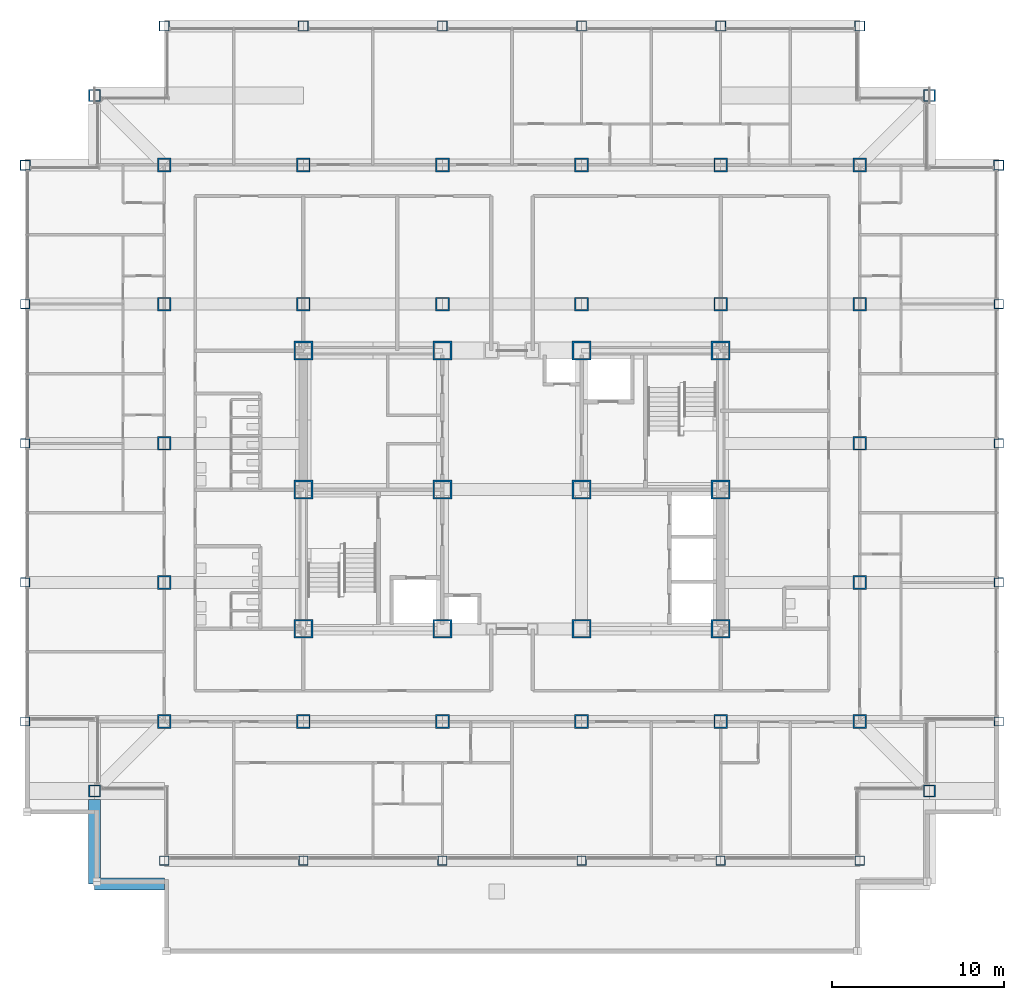
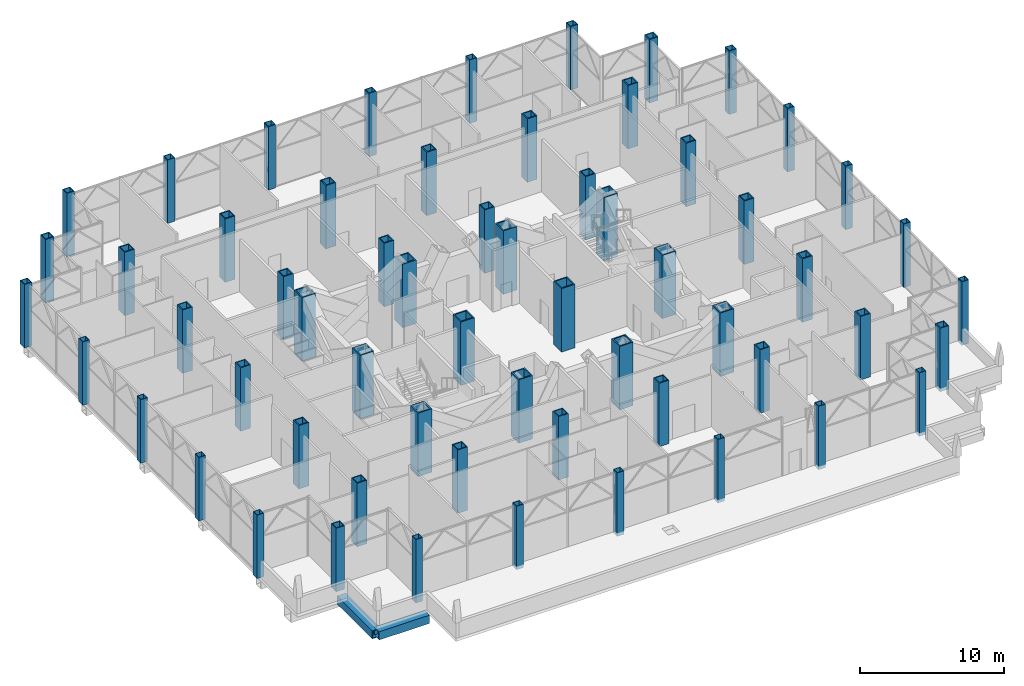
# One storey, part 1 of 29: 60 columns, 2 beams.
"""IFC4 building model written with IfcOpenShell, lengths in metres."""

import ifcopenshell
import ifcopenshell.guid

model = None  # the IFC model being written
_history = None  # IfcOwnerHistory: only IFC2X3 demands one
_inside = {}  # id of a spatial element -> (the spatial element, [elements in it])
_under = {}  # id of a project, library or spatial element -> (it, [spatial elements below it])
_declared = {}  # id of a project -> (the project, [libraries it declares])
_typed = {}  # id of a type object -> (the type object, [elements of that type])
_made_of = {}  # id of a material, layer set ... -> (it, [elements and type objects made of it])


def new_model(schema):
    """Start an empty IFC model of exactly this schema.

    Asked for "IFC4X3", IfcOpenShell would pick the latest addendum, in which some entities
    have other attributes; the version numbers below select the first issue.
    IFC2X3 requires an IfcOwnerHistory on every rooted entity: one is made here for all.
    """
    global model, _history
    if schema == "IFC4X3":
        model = ifcopenshell.file(schema_version=(4, 3, 0, 0))
    else:
        model = ifcopenshell.file(schema=schema)
    _inside.clear()
    _under.clear()
    _declared.clear()
    _typed.clear()
    _made_of.clear()
    _history = None
    if model.schema == "IFC2X3":
        org = make("IfcOrganization", Name="unknown")
        user = make(
            "IfcPersonAndOrganization",
            ThePerson=make("IfcPerson", FamilyName="unknown"),
            TheOrganization=org,
        )
        app = make(
            "IfcApplication",
            ApplicationDeveloper=org,
            Version="unknown",
            ApplicationFullName="unknown",
            ApplicationIdentifier="unknown",
        )
        _history = make(
            "IfcOwnerHistory",
            OwningUser=user,
            OwningApplication=app,
            ChangeAction="ADDED",
            CreationDate=0,
        )
    return model


def make(cls, **values):
    """One entity of the class cls with the attributes given. An attribute that is None is left unset."""
    return model.create_entity(
        cls, **{name: value for name, value in values.items() if value is not None}
    )


def rooted(cls, **values):
    """An entity with a GlobalId (a new one), such as an element, a storey or a relation."""
    return make(cls, GlobalId=ifcopenshell.guid.new(), OwnerHistory=_history, **values)


def si_unit(unit_type, name, prefix=None):
    """IfcSIUnit, for example si_unit("LENGTHUNIT", "METRE", prefix="MILLI")."""
    return make("IfcSIUnit", UnitType=unit_type, Prefix=prefix, Name=name)


def assignment(units):
    """IfcUnitAssignment: the units of a project."""
    return None if units is None else make("IfcUnitAssignment", Units=units)


def point(xyz):
    """IfcCartesianPoint."""
    return None if xyz is None else make("IfcCartesianPoint", Coordinates=xyz)


def direction(xyz):
    """IfcDirection."""
    return None if xyz is None else make("IfcDirection", DirectionRatios=xyz)


def frame(location, z_axis=None, x_axis=None):
    """IfcAxis2Placement3D, a coordinate frame: its origin and axes. An axis left out is left unset."""
    return make(
        "IfcAxis2Placement3D",
        Location=point(location),
        Axis=direction(z_axis),
        RefDirection=direction(x_axis),
    )


def frame_2d(location, x_axis=None):
    """IfcAxis2Placement2D, a coordinate frame in the plane: its origin and x axis."""
    return make(
        "IfcAxis2Placement2D", Location=point(location), RefDirection=direction(x_axis)
    )


def origin():
    """The frame at (0, 0, 0) with its axes left unset."""
    return frame((0.0, 0.0, 0.0))


def origin_2d():
    """The frame at (0, 0) in the plane with its x axis left unset."""
    return frame_2d((0.0, 0.0))


def place(relative_to, where):
    """IfcLocalPlacement: puts the frame where relative to a parent placement (None: the world)."""
    return make(
        "IfcLocalPlacement", PlacementRelTo=relative_to, RelativePlacement=where
    )


def context(
    kind, dimensions, precision=None, world=None, true_north=None, identifier=None
):
    """IfcGeometricRepresentationContext, for example the 3D "Model" context."""
    return make(
        "IfcGeometricRepresentationContext",
        ContextIdentifier=identifier,
        ContextType=kind,
        CoordinateSpaceDimension=dimensions,
        Precision=precision,
        WorldCoordinateSystem=world,
        TrueNorth=true_north,
    )


def subcontext(parent, identifier, kind, view, scale=None):
    """IfcGeometricRepresentationSubContext, for example "Body" below "Model"."""
    return make(
        "IfcGeometricRepresentationSubContext",
        ContextIdentifier=identifier,
        ContextType=kind,
        ParentContext=parent,
        TargetScale=scale,
        TargetView=view,
    )


def project(units=None, contexts=None):
    """IfcProject with its units and contexts."""
    return rooted(
        "IfcProject",
        Name="project",
        RepresentationContexts=contexts,
        UnitsInContext=assignment(units),
    )


def spatial(cls, under=None, at=None, **own):
    """A site, building, storey or space (cls), placed at a placement, below another one or the project."""
    s = rooted(cls, ObjectPlacement=at, **own)
    if under is not None:
        _under.setdefault(under.id(), (under, []))[1].append(s)
    return s


def profile(cls, at=None, kind="AREA", **sizes):
    """A parametric profile (cls). Its sizes go by their IFC names, for example OverallWidth=200.0."""
    return make(cls, ProfileType=kind, Position=at, **sizes)


def hollow_rectangle(**sizes):
    """IfcRectangleHollowProfileDef."""
    return profile("IfcRectangleHollowProfileDef", **sizes)


def extrude(swept, where, along, depth):
    """IfcExtrudedAreaSolid: the profile swept, set in the frame where, extruded along a direction by depth."""
    return make(
        "IfcExtrudedAreaSolid",
        SweptArea=swept,
        Position=where,
        ExtrudedDirection=direction(along),
        Depth=depth,
    )


def shape(context_of_items, identifier, shape_type, items):
    """IfcShapeRepresentation: the items that make up one representation, for example the "Body"."""
    return make(
        "IfcShapeRepresentation",
        ContextOfItems=context_of_items,
        RepresentationIdentifier=identifier,
        RepresentationType=shape_type,
        Items=items,
    )


def material(Name=None, Category=None):
    """IfcMaterial."""
    return make("IfcMaterial", Name=Name, Category=Category)


def material_profile(
    of_material, cross_section, Name=None, Category=None, Priority=None
):
    """IfcMaterialProfile: a cross section and its material."""
    return make(
        "IfcMaterialProfile",
        Name=Name,
        Material=of_material,
        Profile=cross_section,
        Priority=Priority,
        Category=Category,
    )


def profile_set(profiles, Name=None, composite=None):
    """IfcMaterialProfileSet."""
    return make(
        "IfcMaterialProfileSet",
        Name=Name,
        MaterialProfiles=profiles,
        CompositeProfile=composite,
    )


def made_of(thing, what):
    """Note that an element or type object is made of a material, layer set ...; save() writes the relation."""
    if what is not None:
        _made_of.setdefault(what.id(), (what, []))[1].append(thing)
    return thing


def type_object(cls, material=None, **own):
    """A type object (cls), such as IfcWallType, which elements share."""
    return made_of(rooted(cls, **own), material)


def element(
    cls,
    number,
    at=None,
    inside=None,
    cuts=None,
    type_object=None,
    material=None,
    context=None,
    identifier="Body",
    shape_type=None,
    held_by="IfcProductDefinitionShape",
    body=None,
    shapes=None,
    **own,
):
    """One element of the class cls, such as IfcWall. Its Tag is "e" and its number.

    at: its placement. inside: the storey or other place that contains it. cuts: it is an
    opening in that element (IfcRelVoidsElement). A single representation is given by context,
    identifier, shape_type and body (its items); several are given by shapes. held_by: the class
    of the entity that holds the representations. save() writes the other relations.
    """
    e = rooted(cls, Tag="e%d" % number, ObjectPlacement=at, **own)
    if body is not None:
        shapes = [shape(context, identifier, shape_type, body)]
    if shapes is not None:
        e.Representation = make(held_by, Representations=shapes)
    if inside is not None:
        _inside.setdefault(inside.id(), (inside, []))[1].append(e)
    if cuts is not None:
        rooted(
            "IfcRelVoidsElement", RelatingBuildingElement=cuts, RelatedOpeningElement=e
        )
    if type_object is not None:
        _typed.setdefault(type_object.id(), (type_object, []))[1].append(e)
    return made_of(e, material)


def aggregate(whole, parts):
    """IfcRelAggregates: a whole, such as a stair, and the parts it consists of."""
    return rooted("IfcRelAggregates", RelatingObject=whole, RelatedObjects=parts)


def save(model, path):
    """Write the relations noted so far, then the file.

    IfcRelAggregates (storeys below a building ...), IfcRelContainedInSpatialStructure (elements
    in a storey), IfcRelDefinesByType, IfcRelAssociatesMaterial and IfcRelDeclares: one each for
    every whole, place, type object, material and project.
    """
    for whole, parts in _under.values():
        aggregate(whole, parts)
    for where, things in _inside.values():
        rooted(
            "IfcRelContainedInSpatialStructure",
            RelatedElements=things,
            RelatingStructure=where,
        )
    for kind, things in _typed.values():
        rooted("IfcRelDefinesByType", RelatedObjects=things, RelatingType=kind)
    for what, things in _made_of.values():
        rooted("IfcRelAssociatesMaterial", RelatedObjects=things, RelatingMaterial=what)
    for by, libraries in _declared.values():
        rooted("IfcRelDeclares", RelatingContext=by, RelatedDefinitions=libraries)
    model.write(path)


model = new_model("IFC4")

# Units and contexts
model_context = context("Model", 3, precision=1e-05, world=origin(), true_north=direction((0.0, 1.0)))
body_context = subcontext(model_context, "Body", "Model", "MODEL_VIEW")
ifc_project = project(units=[si_unit("LENGTHUNIT", "METRE"), si_unit("AREAUNIT", "SQUARE_METRE"), si_unit("VOLUMEUNIT", "CUBIC_METRE"), si_unit("PLANEANGLEUNIT", "RADIAN"), si_unit("MASSUNIT", "GRAM", prefix="KILO")], contexts=[model_context])

# Site, building, storey
site_placement = place(None, origin())
site = spatial("IfcSite", under=ifc_project, at=site_placement, CompositionType="ELEMENT")
building_placement = place(site_placement, origin())
building = spatial("IfcBuilding", under=site, at=building_placement, Name="Kopane Lantern Tower", CompositionType="ELEMENT")
storey_placement = place(building_placement, frame((0.0, 0.0, 165.0)))
storey = spatial("IfcBuildingStorey", under=building, at=storey_placement, Name="L42", CompositionType="ELEMENT", Elevation=165.0)

# Columns
ifc_material_1 = material(Name="Steel S355JR", Category="steel")
ifc_material_profile_1 = material_profile(ifc_material_1, hollow_rectangle(XDim=1.10009765625, YDim=1.10009765625, WallThickness=0.10009765625, at=origin_2d()), Name="BOX 1100x1100x100")
ifc_profile_set_1 = profile_set([ifc_material_profile_1], Name="Steel S355JR")
column_type_1 = type_object("IfcColumnType", Name="COLUMN BOX 1100x1100x100", PredefinedType="COLUMN", material=ifc_profile_set_1)
for number, where, z_axis, x_axis, name in (
    (1, (16.199951171875, 24.300048828125, 0.0), (0.0, 0.0, 1.0), (1.0, 0.0, 0.0), "Column 4/E L42"),
    (2, (16.199951171875, 32.39990234375, 0.0), (0.0, 0.0, 1.0), (1.0, 0.0, 0.0), "Column 4/F L42"),
    (3, (16.199951171875, 40.5, 0.0), (0.0, 0.0, 1.0), (1.0, 0.0, 0.0), "Column 4/G L42"),
    (4, (24.300048828125, 24.300048828125, 0.0), (0.0, 0.0, 1.0), (1.0, 0.0, 0.0), "Column 5/E L42"),
    (5, (24.300048828125, 32.39990234375, 0.0), (0.0, 0.0, 1.0), (1.0, 0.0, 0.0), "Column 5/F L42"),
    (6, (24.300048828125, 40.5, 0.0), (0.0, 0.0, 1.0), (1.0, 0.0, 0.0), "Column 5/G L42"),
    (7, (32.39990234375, 24.300048828125, 0.0), (0.0, 0.0, 1.0), (1.0, 0.0, 0.0), "Column 6/E L42"),
    (8, (32.39990234375, 32.39990234375, 0.0), (0.0, 0.0, 1.0), (1.0, 0.0, 0.0), "Column 6/F L42"),
    (9, (32.39990234375, 40.5, 0.0), (0.0, 0.0, 1.0), (1.0, 0.0, 0.0), "Column 6/G L42"),
    (10, (40.5, 24.300048828125, 0.0), (0.0, 0.0, 1.0), (1.0, 0.0, 0.0), "Column 7/E L42"),
    (11, (40.5, 32.39990234375, 0.0), (0.0, 0.0, 1.0), (1.0, 0.0, 0.0), "Column 7/F L42"),
    (12, (40.5, 40.5, 0.0), (0.0, 0.0, 1.0), (1.0, 0.0, 0.0), "Column 7/G L42"),
):
    element("IfcColumn", number, at=place(storey_placement, frame(where, z_axis=z_axis, x_axis=x_axis)), inside=storey, type_object=column_type_1, Name=name, PredefinedType="COLUMN", context=body_context, shape_type="SweptSolid", body=[
        extrude(hollow_rectangle(XDim=1.10009765625, YDim=1.10009765625, WallThickness=0.10009765625, at=origin_2d()), origin(), (0.0, 0.0, 1.0), 5.39990234375),
    ])
ifc_material_2 = material(Name="Steel S355JR", Category="steel")
ifc_material_profile_2 = material_profile(ifc_material_2, hollow_rectangle(XDim=0.550048828125, YDim=0.550048828125, WallThickness=0.0400390625, at=origin_2d()), Name="BOX 550x550x40")
ifc_profile_set_2 = profile_set([ifc_material_profile_2], Name="Steel S355JR")
column_type_2 = type_object("IfcColumnType", Name="COLUMN BOX 550x550x40", PredefinedType="COLUMN", material=ifc_profile_set_2)
for number, where, z_axis, x_axis, name in (
    (13, (0.0, 18.89990234375, 0.0), (0.0, 0.0, 1.0), (1.0, 0.0, 0.0), "Column 2/Q2 L42"),
    (14, (0.0, 27.0, 0.0), (0.0, 0.0, 1.0), (1.0, 0.0, 0.0), "Column 2/Q3 L42"),
    (15, (0.0, 35.10009765625, 0.0), (0.0, 0.0, 1.0), (1.0, 0.0, 0.0), "Column 2/Q4 L42"),
    (16, (0.0, 43.199951171875, 0.0), (0.0, 0.0, 1.0), (1.0, 0.0, 0.0), "Column 2/Q5 L42"),
    (17, (8.10009765625, 10.800048828125, 0.0), (0.0, 0.0, 1.0), (1.0, 0.0, 0.0), "Column 3/Q1 L42"),
    (18, (16.199951171875, 10.800048828125, 0.0), (0.0, 0.0, 1.0), (1.0, 0.0, 0.0), "Column 4/Q1 L42"),
    (19, (24.300048828125, 10.800048828125, 0.0), (0.0, 0.0, 1.0), (1.0, 0.0, 0.0), "Column 5/Q1 L42"),
    (20, (32.39990234375, 10.800048828125, 0.0), (0.0, 0.0, 1.0), (1.0, 0.0, 0.0), "Column 6/Q1 L42"),
    (21, (40.5, 10.800048828125, 0.0), (0.0, 0.0, 1.0), (1.0, 0.0, 0.0), "Column 7/Q1 L42"),
    (22, (48.60009765625, 10.800048828125, 0.0), (0.0, 0.0, 1.0), (1.0, 0.0, 0.0), "Column 8/Q1 L42"),
    (23, (56.699951171875, 18.89990234375, 0.0), (0.0, 0.0, 1.0), (1.0, 0.0, 0.0), "Column 9/Q2 L42"),
    (24, (56.699951171875, 27.0, 0.0), (0.0, 0.0, 1.0), (1.0, 0.0, 0.0), "Column 9/Q3 L42"),
    (25, (56.699951171875, 35.10009765625, 0.0), (0.0, 0.0, 1.0), (1.0, 0.0, 0.0), "Column 9/Q4 L42"),
    (26, (56.699951171875, 43.199951171875, 0.0), (0.0, 0.0, 1.0), (1.0, 0.0, 0.0), "Column 9/Q5 L42"),
):
    element("IfcColumn", number, at=place(storey_placement, frame(where, z_axis=z_axis, x_axis=x_axis)), inside=storey, type_object=column_type_2, Name=name, PredefinedType="COLUMN", context=body_context, shape_type="SweptSolid", body=[
        extrude(hollow_rectangle(XDim=0.550048828125, YDim=0.550048828125, WallThickness=0.0400390625, at=origin_2d()), origin(), (0.0, 0.0, 1.0), 5.39990234375),
    ])
ifc_material_3 = material(Name="Steel S355JR", Category="steel")
ifc_material_profile_3 = material_profile(ifc_material_3, hollow_rectangle(XDim=0.60009765625, YDim=0.60009765625, WallThickness=0.050048828125, at=origin_2d()), Name="BOX 600x600x50")
ifc_profile_set_3 = profile_set([ifc_material_profile_3], Name="Steel S355JR")
column_type_3 = type_object("IfcColumnType", Name="COLUMN BOX 600x600x50", PredefinedType="COLUMN", material=ifc_profile_set_3)
for number, where, z_axis, x_axis, name in (
    (27, (0.0, 51.300048828125, 0.0), (0.0, 0.0, 1.0), (1.0, 0.0, 0.0), "Column 2/Q6 L42"),
    (28, (8.10009765625, 59.39990234375, 0.0), (0.0, 0.0, 1.0), (1.0, 0.0, 0.0), "Column 3/Q7 L42"),
    (29, (16.199951171875, 59.39990234375, 0.0), (0.0, 0.0, 1.0), (1.0, 0.0, 0.0), "Column 4/Q7 L42"),
    (30, (24.300048828125, 59.39990234375, 0.0), (0.0, 0.0, 1.0), (1.0, 0.0, 0.0), "Column 5/Q7 L42"),
    (31, (32.39990234375, 59.39990234375, 0.0), (0.0, 0.0, 1.0), (1.0, 0.0, 0.0), "Column 6/Q7 L42"),
    (32, (40.5, 59.39990234375, 0.0), (0.0, 0.0, 1.0), (1.0, 0.0, 0.0), "Column 7/Q7 L42"),
    (33, (48.60009765625, 59.39990234375, 0.0), (0.0, 0.0, 1.0), (1.0, 0.0, 0.0), "Column 8/Q7 L42"),
    (34, (56.699951171875, 51.300048828125, 0.0), (0.0, 0.0, 1.0), (1.0, 0.0, 0.0), "Column 9/Q6 L42"),
):
    element("IfcColumn", number, at=place(storey_placement, frame(where, z_axis=z_axis, x_axis=x_axis)), inside=storey, type_object=column_type_3, Name=name, PredefinedType="COLUMN", context=body_context, shape_type="SweptSolid", body=[
        extrude(hollow_rectangle(XDim=0.60009765625, YDim=0.60009765625, WallThickness=0.050048828125, at=origin_2d()), origin(), (0.0, 0.0, 1.0), 5.39990234375),
    ])
ifc_material_4 = material(Name="Steel S355JR", Category="steel")
ifc_material_profile_4 = material_profile(ifc_material_4, hollow_rectangle(XDim=0.699951171875, YDim=0.699951171875, WallThickness=0.070068359375, at=origin_2d()), Name="BOX 700x700x70")
ifc_profile_set_4 = profile_set([ifc_material_profile_4], Name="Steel S355JR")
column_type_4 = type_object("IfcColumnType", Name="COLUMN BOX 700x700x70", PredefinedType="COLUMN", material=ifc_profile_set_4)
for number, where, z_axis, x_axis, name in (
    (35, (4.050048828125, 14.85009765625, 0.0), (0.0, 0.0, 1.0), (1.0, 0.0, 0.0), "Column 4.05/14.85 L42"),
    (36, (4.050048828125, 55.35009765625, 0.0), (0.0, 0.0, 1.0), (1.0, 0.0, 0.0), "Column 4.05/55.35 L42"),
    (37, (52.64990234375, 14.85009765625, 0.0), (0.0, 0.0, 1.0), (1.0, 0.0, 0.0), "Column 52.65/14.85 L42"),
    (38, (52.64990234375, 55.35009765625, 0.0), (0.0, 0.0, 1.0), (1.0, 0.0, 0.0), "Column 52.65/55.35 L42"),
):
    element("IfcColumn", number, at=place(storey_placement, frame(where, z_axis=z_axis, x_axis=x_axis)), inside=storey, type_object=column_type_4, Name=name, PredefinedType="COLUMN", context=body_context, shape_type="SweptSolid", body=[
        extrude(hollow_rectangle(XDim=0.699951171875, YDim=0.699951171875, WallThickness=0.070068359375, at=origin_2d()), origin(), (0.0, 0.0, 1.0), 5.39990234375),
    ])
ifc_material_5 = material(Name="Steel S355JR", Category="steel")
ifc_material_profile_5 = material_profile(ifc_material_5, hollow_rectangle(XDim=0.800048828125, YDim=0.800048828125, WallThickness=0.080078125, at=origin_2d()), Name="BOX 800x800x80")
ifc_profile_set_5 = profile_set([ifc_material_profile_5], Name="Steel S355JR")
column_type_5 = type_object("IfcColumnType", Name="COLUMN BOX 800x800x80", PredefinedType="COLUMN", material=ifc_profile_set_5)
for number, where, z_axis, x_axis, name in (
    (39, (8.10009765625, 18.89990234375, 0.0), (0.0, 0.0, 1.0), (1.0, 0.0, 0.0), "Column 3/Q2 L42"),
    (40, (8.10009765625, 27.0, 0.0), (0.0, 0.0, 1.0), (1.0, 0.0, 0.0), "Column 3/Q3 L42"),
    (41, (8.10009765625, 35.10009765625, 0.0), (0.0, 0.0, 1.0), (1.0, 0.0, 0.0), "Column 3/Q4 L42"),
    (42, (8.10009765625, 43.199951171875, 0.0), (0.0, 0.0, 1.0), (1.0, 0.0, 0.0), "Column 3/Q5 L42"),
    (43, (8.10009765625, 51.300048828125, 0.0), (0.0, 0.0, 1.0), (1.0, 0.0, 0.0), "Column 3/Q6 L42"),
    (44, (16.199951171875, 18.89990234375, 0.0), (0.0, 0.0, 1.0), (1.0, 0.0, 0.0), "Column 4/Q2 L42"),
    (45, (16.199951171875, 43.199951171875, 0.0), (0.0, 0.0, 1.0), (1.0, 0.0, 0.0), "Column 4/Q5 L42"),
    (46, (16.199951171875, 51.300048828125, 0.0), (0.0, 0.0, 1.0), (1.0, 0.0, 0.0), "Column 4/Q6 L42"),
    (47, (24.300048828125, 18.89990234375, 0.0), (0.0, 0.0, 1.0), (1.0, 0.0, 0.0), "Column 5/Q2 L42"),
    (48, (24.300048828125, 43.199951171875, 0.0), (0.0, 0.0, 1.0), (1.0, 0.0, 0.0), "Column 5/Q5 L42"),
    (49, (24.300048828125, 51.300048828125, 0.0), (0.0, 0.0, 1.0), (1.0, 0.0, 0.0), "Column 5/Q6 L42"),
    (50, (32.39990234375, 18.89990234375, 0.0), (0.0, 0.0, 1.0), (1.0, 0.0, 0.0), "Column 6/Q2 L42"),
    (51, (32.39990234375, 43.199951171875, 0.0), (0.0, 0.0, 1.0), (1.0, 0.0, 0.0), "Column 6/Q5 L42"),
    (52, (32.39990234375, 51.300048828125, 0.0), (0.0, 0.0, 1.0), (1.0, 0.0, 0.0), "Column 6/Q6 L42"),
    (53, (40.5, 18.89990234375, 0.0), (0.0, 0.0, 1.0), (1.0, 0.0, 0.0), "Column 7/Q2 L42"),
    (54, (40.5, 43.199951171875, 0.0), (0.0, 0.0, 1.0), (1.0, 0.0, 0.0), "Column 7/Q5 L42"),
    (55, (40.5, 51.300048828125, 0.0), (0.0, 0.0, 1.0), (1.0, 0.0, 0.0), "Column 7/Q6 L42"),
    (56, (48.60009765625, 18.89990234375, 0.0), (0.0, 0.0, 1.0), (1.0, 0.0, 0.0), "Column 8/Q2 L42"),
    (57, (48.60009765625, 27.0, 0.0), (0.0, 0.0, 1.0), (1.0, 0.0, 0.0), "Column 8/Q3 L42"),
    (58, (48.60009765625, 35.10009765625, 0.0), (0.0, 0.0, 1.0), (1.0, 0.0, 0.0), "Column 8/Q4 L42"),
    (59, (48.60009765625, 43.199951171875, 0.0), (0.0, 0.0, 1.0), (1.0, 0.0, 0.0), "Column 8/Q5 L42"),
    (60, (48.60009765625, 51.300048828125, 0.0), (0.0, 0.0, 1.0), (1.0, 0.0, 0.0), "Column 8/Q6 L42"),
):
    element("IfcColumn", number, at=place(storey_placement, frame(where, z_axis=z_axis, x_axis=x_axis)), inside=storey, type_object=column_type_5, Name=name, PredefinedType="COLUMN", context=body_context, shape_type="SweptSolid", body=[
        extrude(hollow_rectangle(XDim=0.800048828125, YDim=0.800048828125, WallThickness=0.080078125, at=origin_2d()), origin(), (0.0, 0.0, 1.0), 5.39990234375),
    ])

# Beams
ifc_material_6 = material(Name="Steel S355JR", Category="steel")
ifc_material_profile_6 = material_profile(ifc_material_6, hollow_rectangle(XDim=0.699951171875, YDim=0.699951171875, WallThickness=0.06005859375, at=origin_2d()), Name="BOX 700x700x60")
ifc_profile_set_6 = profile_set([ifc_material_profile_6], Name="Steel S355JR")
beam_type_1 = type_object("IfcBeamType", Name="EDGE BEAM BOX 700x700x60", PredefinedType="BEAM", material=ifc_profile_set_6)
beam_1_placement = place(storey_placement, frame((4.050048828125, 9.449951171875, -0.60009765625), z_axis=(1.0, 0.0, 0.0), x_axis=(0.0, 1.0, 0.0)))
element("IfcBeam", 61, at=beam_1_placement, inside=storey, type_object=beam_type_1, Name="Edge Beam L42", PredefinedType="BEAM", context=body_context, shape_type="SweptSolid", body=[
    extrude(hollow_rectangle(XDim=0.699951171875, YDim=0.699951171875, WallThickness=0.06005859375, at=origin_2d()), origin(), (0.0, 0.0, 1.0), 4.050048828125),
])
ifc_material_7 = material(Name="Steel S355JR", Category="steel")
ifc_material_profile_7 = material_profile(ifc_material_7, hollow_rectangle(XDim=0.699951171875, YDim=0.699951171875, WallThickness=0.06005859375, at=origin_2d()), Name="BOX 700x700x60")
ifc_profile_set_7 = profile_set([ifc_material_profile_7], Name="Steel S355JR")
beam_type_2 = type_object("IfcBeamType", Name="GIRDER BOX 700x700x60", PredefinedType="BEAM", material=ifc_profile_set_7)
beam_2_placement = place(storey_placement, frame((4.050048828125, 9.449951171875, -0.60009765625), z_axis=(0.0, 1.0, 0.0), x_axis=(-1.0, 0.0, 0.0)))
element("IfcBeam", 62, at=beam_2_placement, inside=storey, type_object=beam_type_2, Name="Girder L42", PredefinedType="BEAM", context=body_context, shape_type="SweptSolid", body=[
    extrude(hollow_rectangle(XDim=0.699951171875, YDim=0.699951171875, WallThickness=0.06005859375, at=origin_2d()), origin(), (0.0, 0.0, 1.0), 4.900146484375),
])

save(model, "model.ifc")
